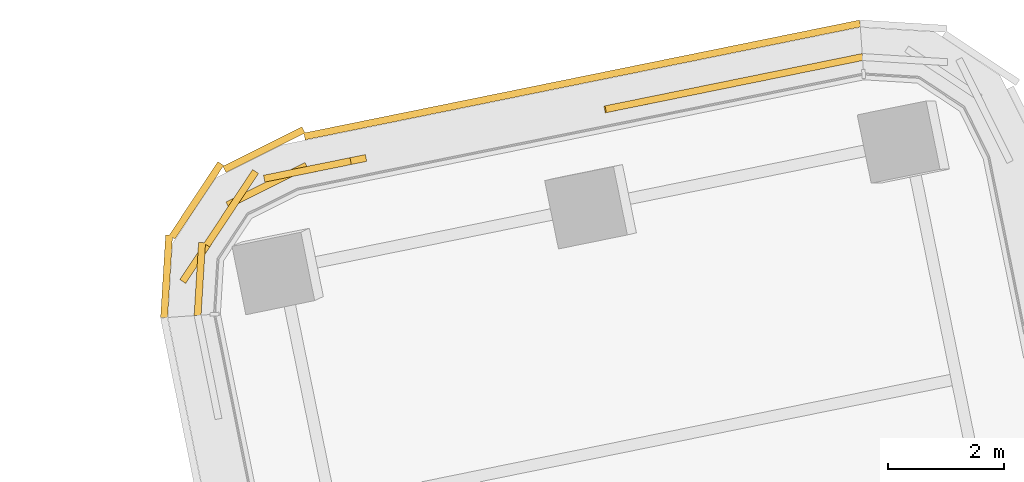
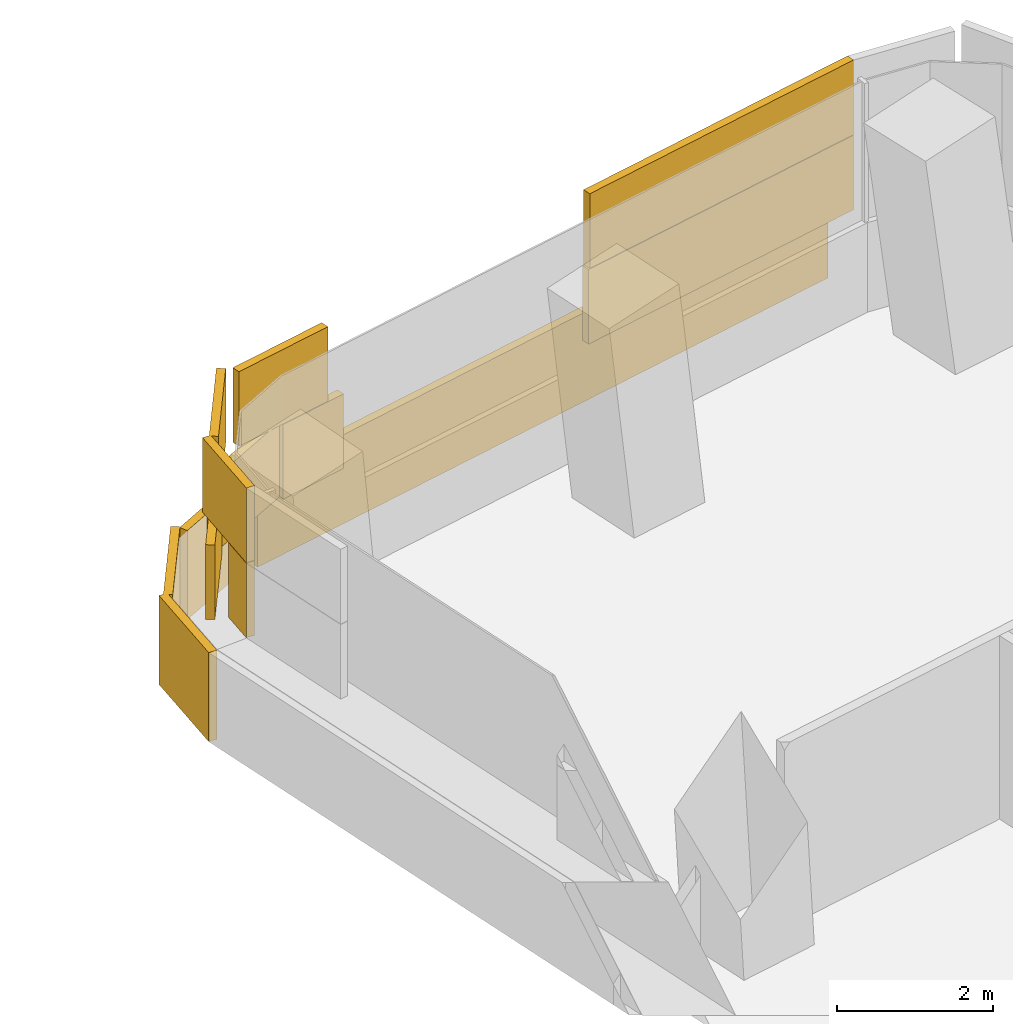
# One storey, part 31 of 31: 1 covering.
"""IFC4 building model written with IfcOpenShell, lengths in metres."""

from ifc_helpers import new_model, si_unit, direction, frame, origin, origin_2d, place, context, subcontext, project, spatial, rectangle, extrude, material, layer, layer_set, type_object, element, save


model = new_model("IFC4")

# Units and contexts
model_context = context("Model", 3, precision=1e-05, world=origin(), true_north=direction((0.0, 1.0)))
body_context = subcontext(model_context, "Body", "Model", "MODEL_VIEW")
ifc_project = project(units=[si_unit("LENGTHUNIT", "METRE"), si_unit("AREAUNIT", "SQUARE_METRE"), si_unit("VOLUMEUNIT", "CUBIC_METRE"), si_unit("PLANEANGLEUNIT", "RADIAN"), si_unit("MASSUNIT", "GRAM", prefix="KILO")], contexts=[model_context])

# Site, building, storey
site_placement = place(None, origin())
site = spatial("IfcSite", under=ifc_project, at=site_placement, CompositionType="ELEMENT")
building_placement = place(site_placement, origin())
building = spatial("IfcBuilding", under=site, at=building_placement, Name="Tamarind Cross Interchange Tower", CompositionType="ELEMENT")
storey_placement = place(building_placement, frame((0.0, 0.0, 75.25)))
storey = spatial("IfcBuildingStorey", under=building, at=storey_placement, Name="L17", CompositionType="ELEMENT", Elevation=75.25)

# Covering
ifc_material = material(Name="Terracotta", Category="masonry")
ifc_layer = layer(ifc_material, 0.1201171875)
ifc_layer_set = layer_set([ifc_layer], Name="Terracotta")
covering_type = type_object("IfcCoveringType", Name="Terracotta baguette screen unit", PredefinedType="MOLDING", material=ifc_layer_set)
covering_placement = place(storey_placement, origin())
element("IfcCovering", 1, at=covering_placement, inside=storey, type_object=covering_type, Name="SCR-L17-12-00", PredefinedType="MOLDING", context=body_context, shape_type="SweptSolid", body=[
    extrude(rectangle(XDim=0.760009765625, YDim=0.1201171875, at=origin_2d()), frame((-0.879150390625, 49.59619140625, 1.404052734375), z_axis=(0.0, 0.0, 1.0), x_axis=(-0.979949750197, -0.199244791873, 0.0)), (0.0, 0.0, 1.0), 1.1669921875),
    extrude(rectangle(XDim=1.52001953125, YDim=0.1201171875, at=origin_2d()), frame((-1.981689453125, 49.3720703125, 1.404052734375), z_axis=(0.0, 0.0, 1.0), x_axis=(-0.979949750197, -0.199244791873, 0.0)), (0.0, 0.0, 1.0), 1.1669921875),
    extrude(rectangle(XDim=1.52001953125, YDim=0.1201171875, at=origin_2d()), frame((-3.45166015625, 49.0732421875, 1.404052734375), z_axis=(0.0, 0.0, 1.0), x_axis=(-0.979949750197, -0.199244791873, 0.0)), (0.0, 0.0, 1.0), 1.1669921875),
    extrude(rectangle(XDim=0.784912109375, YDim=0.1201171875, at=origin_2d()), frame((-4.566162109375, 48.846435546875, 1.404052734375), z_axis=(0.0, 0.0, 1.0), x_axis=(-0.979949750197, -0.199244791873, 0.0)), (0.0, 0.0, 1.0), 1.1669921875),
    extrude(rectangle(XDim=1.03515625, YDim=0.1201171875, at=origin_2d()), frame((-9.56396484375, 47.830322265625, 1.404052734375), z_axis=(0.0, 0.0, 1.0), x_axis=(-0.979949750197, -0.199244791873, 0.0)), (0.0, 0.0, 1.0), 1.1669921875),
    extrude(rectangle(XDim=1.52001953125, YDim=0.1201171875, at=origin_2d()), frame((-10.7607421875, 47.461181640625, 1.404052734375), z_axis=(0.0, 0.0, 1.0), x_axis=(-0.894990425407, -0.446085348818, 0.0)), (0.0, 0.0, 1.0), 1.1669921875),
    extrude(rectangle(XDim=1.52001953125, YDim=0.1201171875, at=origin_2d()), frame((-11.792724609375, 46.441162109375, 1.404052734375), z_axis=(0.0, 0.0, 1.0), x_axis=(-0.552041770137, -0.833816457036, 0.0)), (0.0, 0.0, 1.0), 1.1669921875),
    extrude(rectangle(XDim=0.509521484375, YDim=0.1201171875, at=origin_2d()), frame((-11.941650390625, 45.47265625, 1.404052734375), z_axis=(0.0, 0.0, 1.0), x_axis=(-0.061173968371, -0.998127118955, 0.0)), (0.0, 0.0, 1.0), 1.1669921875),
    extrude(rectangle(XDim=1.510009765625, YDim=0.1201171875, at=origin_2d()), frame((-1.24658203125, 49.521484375, 2.5791015625), z_axis=(0.0, 0.0, 1.0), x_axis=(-0.979949750197, -0.199244791873, 0.0)), (0.0, 0.0, 1.0), 1.1669921875),
    extrude(rectangle(XDim=1.52001953125, YDim=0.1201171875, at=origin_2d()), frame((-2.716552734375, 49.22265625, 2.5791015625), z_axis=(0.0, 0.0, 1.0), x_axis=(-0.979949750197, -0.199244791873, 0.0)), (0.0, 0.0, 1.0), 1.1669921875),
    extrude(rectangle(XDim=1.52001953125, YDim=0.1201171875, at=origin_2d()), frame((-4.1865234375, 48.923828125, 2.5791015625), z_axis=(0.0, 0.0, 1.0), x_axis=(-0.979949750197, -0.199244791873, 0.0)), (0.0, 0.0, 1.0), 1.1669921875),
    extrude(rectangle(XDim=1.52001953125, YDim=0.1201171875, at=origin_2d()), frame((-10.066162109375, 47.728271484375, 2.5791015625), z_axis=(0.0, 0.0, 1.0), x_axis=(-0.979949750197, -0.199244791873, 0.0)), (0.0, 0.0, 1.0), 1.1669921875),
    extrude(rectangle(XDim=1.52001953125, YDim=0.1201171875, at=origin_2d()), frame((-11.378662109375, 47.066650390625, 2.5791015625), z_axis=(0.0, 0.0, 1.0), x_axis=(-0.552041770137, -0.833816457036, 0.0)), (0.0, 0.0, 1.0), 1.1669921875),
    extrude(rectangle(XDim=1.259521484375, YDim=0.1201171875, at=origin_2d()), frame((-11.918701171875, 45.846923828125, 2.5791015625), z_axis=(0.0, 0.0, 1.0), x_axis=(-0.061173968371, -0.998127118955, 0.0)), (0.0, 0.0, 1.0), 1.1669921875),
    extrude(rectangle(XDim=0.760009765625, YDim=0.1201171875, at=origin_2d()), frame((-0.92431640625, 50.1728515625, 0.00390625), z_axis=(0.0, 0.0, 1.0), x_axis=(-0.979949750197, -0.199244791873, 0.0)), (0.0, 0.0, 1.0), 1.39208984375),
    extrude(rectangle(XDim=1.52001953125, YDim=0.1201171875, at=origin_2d()), frame((-2.02197265625, 49.94970703125, 0.00390625), z_axis=(0.0, 0.0, 1.0), x_axis=(-0.979949750197, -0.199244791873, 0.0)), (0.0, 0.0, 1.0), 1.39208984375),
    extrude(rectangle(XDim=1.52001953125, YDim=0.1201171875, at=origin_2d()), frame((-3.491943359375, 49.650634765625, 0.00390625), z_axis=(0.0, 0.0, 1.0), x_axis=(-0.979949750197, -0.199244791873, 0.0)), (0.0, 0.0, 1.0), 1.39208984375),
    extrude(rectangle(XDim=1.52001953125, YDim=0.1201171875, at=origin_2d()), frame((-4.961669921875, 49.351806640625, 0.00390625), z_axis=(0.0, 0.0, 1.0), x_axis=(-0.979949750197, -0.199244791873, 0.0)), (0.0, 0.0, 1.0), 1.39208984375),
    extrude(rectangle(XDim=1.52001953125, YDim=0.1201171875, at=origin_2d()), frame((-6.431640625, 49.052978515625, 0.00390625), z_axis=(0.0, 0.0, 1.0), x_axis=(-0.979949750197, -0.199244791873, 0.0)), (0.0, 0.0, 1.0), 1.39208984375),
    extrude(rectangle(XDim=1.52001953125, YDim=0.1201171875, at=origin_2d()), frame((-7.901611328125, 48.754150390625, 0.00390625), z_axis=(0.0, 0.0, 1.0), x_axis=(-0.979949750197, -0.199244791873, 0.0)), (0.0, 0.0, 1.0), 1.39208984375),
    extrude(rectangle(XDim=1.52001953125, YDim=0.1201171875, at=origin_2d()), frame((-9.37158203125, 48.455322265625, 0.00390625), z_axis=(0.0, 0.0, 1.0), x_axis=(-0.979949750197, -0.199244791873, 0.0)), (0.0, 0.0, 1.0), 1.39208984375),
    extrude(rectangle(XDim=1.52001953125, YDim=0.1201171875, at=origin_2d()), frame((-10.81396484375, 48.076171875, 0.00390625), z_axis=(0.0, 0.0, 1.0), x_axis=(-0.894990425407, -0.446085348818, 0.0)), (0.0, 0.0, 1.0), 1.39208984375),
    extrude(rectangle(XDim=1.52001953125, YDim=0.1201171875, at=origin_2d()), frame((-11.9765625, 47.20361328125, 0.00390625), z_axis=(0.0, 0.0, 1.0), x_axis=(-0.552041770137, -0.833816457036, 0.0)), (0.0, 0.0, 1.0), 1.39208984375),
    extrude(rectangle(XDim=1.4267578125, YDim=0.1201171875, at=origin_2d()), frame((-12.49072265625, 45.895263671875, 0.00390625), z_axis=(0.0, 0.0, 1.0), x_axis=(-0.061173968371, -0.998127118955, 0.0)), (0.0, 0.0, 1.0), 1.39208984375),
])

save(model, "model.ifc")
